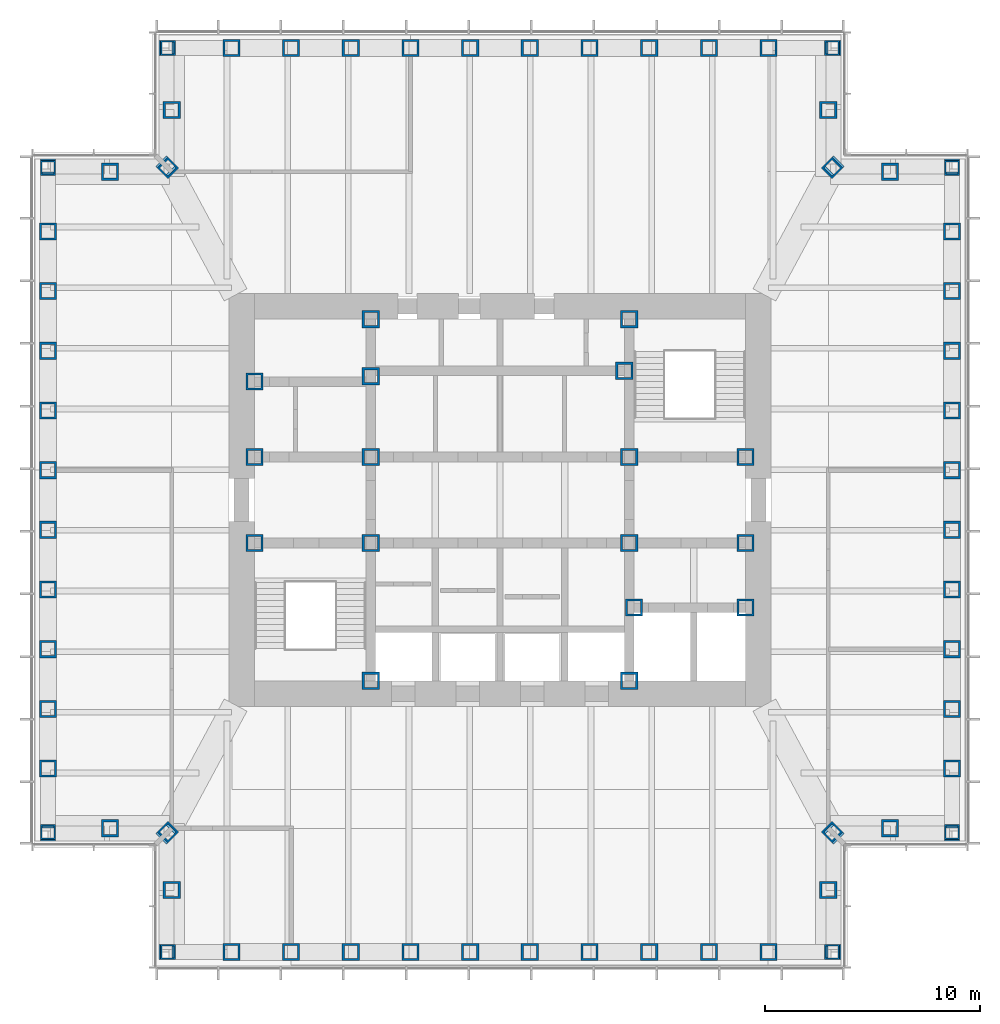
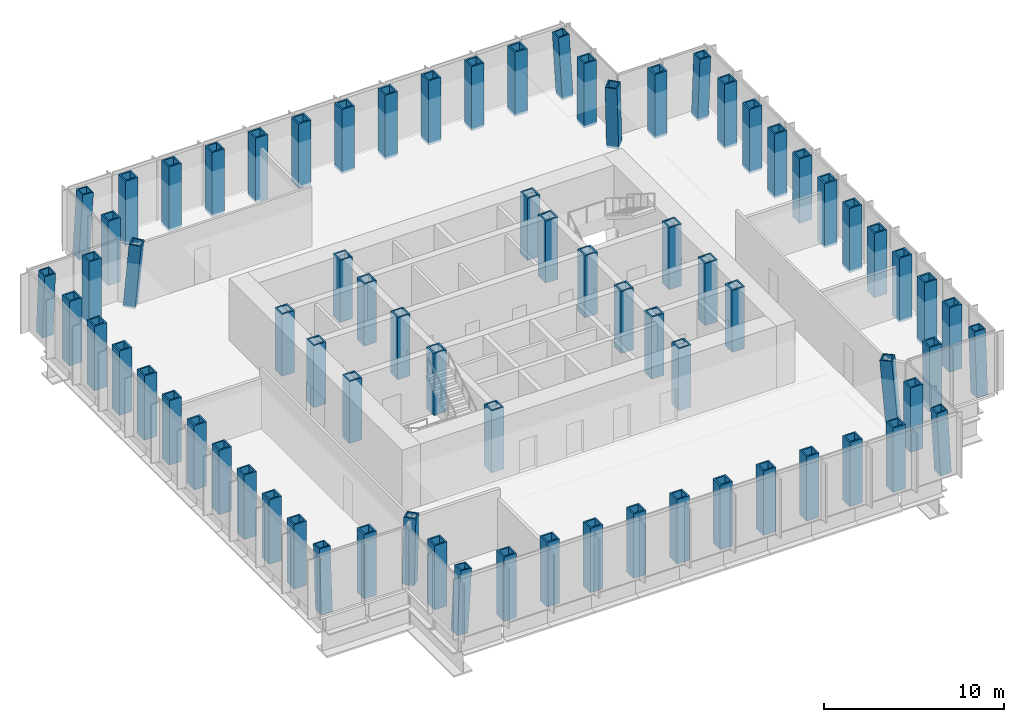
# One storey, part 1 of 14: 77 columns.
"""IFC4 building model written with IfcOpenShell, lengths in metres."""

import ifcopenshell
import ifcopenshell.guid

model = None  # the IFC model being written
_history = None  # IfcOwnerHistory: only IFC2X3 demands one
_inside = {}  # id of a spatial element -> (the spatial element, [elements in it])
_under = {}  # id of a project, library or spatial element -> (it, [spatial elements below it])
_declared = {}  # id of a project -> (the project, [libraries it declares])
_typed = {}  # id of a type object -> (the type object, [elements of that type])
_made_of = {}  # id of a material, layer set ... -> (it, [elements and type objects made of it])


def new_model(schema):
    """Start an empty IFC model of exactly this schema.

    Asked for "IFC4X3", IfcOpenShell would pick the latest addendum, in which some entities
    have other attributes; the version numbers below select the first issue.
    IFC2X3 requires an IfcOwnerHistory on every rooted entity: one is made here for all.
    """
    global model, _history
    if schema == "IFC4X3":
        model = ifcopenshell.file(schema_version=(4, 3, 0, 0))
    else:
        model = ifcopenshell.file(schema=schema)
    _inside.clear()
    _under.clear()
    _declared.clear()
    _typed.clear()
    _made_of.clear()
    _history = None
    if model.schema == "IFC2X3":
        org = make("IfcOrganization", Name="unknown")
        user = make(
            "IfcPersonAndOrganization",
            ThePerson=make("IfcPerson", FamilyName="unknown"),
            TheOrganization=org,
        )
        app = make(
            "IfcApplication",
            ApplicationDeveloper=org,
            Version="unknown",
            ApplicationFullName="unknown",
            ApplicationIdentifier="unknown",
        )
        _history = make(
            "IfcOwnerHistory",
            OwningUser=user,
            OwningApplication=app,
            ChangeAction="ADDED",
            CreationDate=0,
        )
    return model


def make(cls, **values):
    """One entity of the class cls with the attributes given. An attribute that is None is left unset."""
    return model.create_entity(
        cls, **{name: value for name, value in values.items() if value is not None}
    )


def rooted(cls, **values):
    """An entity with a GlobalId (a new one), such as an element, a storey or a relation."""
    return make(cls, GlobalId=ifcopenshell.guid.new(), OwnerHistory=_history, **values)


def si_unit(unit_type, name, prefix=None):
    """IfcSIUnit, for example si_unit("LENGTHUNIT", "METRE", prefix="MILLI")."""
    return make("IfcSIUnit", UnitType=unit_type, Prefix=prefix, Name=name)


def assignment(units):
    """IfcUnitAssignment: the units of a project."""
    return None if units is None else make("IfcUnitAssignment", Units=units)


def point(xyz):
    """IfcCartesianPoint."""
    return None if xyz is None else make("IfcCartesianPoint", Coordinates=xyz)


def direction(xyz):
    """IfcDirection."""
    return None if xyz is None else make("IfcDirection", DirectionRatios=xyz)


def frame(location, z_axis=None, x_axis=None):
    """IfcAxis2Placement3D, a coordinate frame: its origin and axes. An axis left out is left unset."""
    return make(
        "IfcAxis2Placement3D",
        Location=point(location),
        Axis=direction(z_axis),
        RefDirection=direction(x_axis),
    )


def frame_2d(location, x_axis=None):
    """IfcAxis2Placement2D, a coordinate frame in the plane: its origin and x axis."""
    return make(
        "IfcAxis2Placement2D", Location=point(location), RefDirection=direction(x_axis)
    )


def origin():
    """The frame at (0, 0, 0) with its axes left unset."""
    return frame((0.0, 0.0, 0.0))


def origin_2d():
    """The frame at (0, 0) in the plane with its x axis left unset."""
    return frame_2d((0.0, 0.0))


def place(relative_to, where):
    """IfcLocalPlacement: puts the frame where relative to a parent placement (None: the world)."""
    return make(
        "IfcLocalPlacement", PlacementRelTo=relative_to, RelativePlacement=where
    )


def context(
    kind, dimensions, precision=None, world=None, true_north=None, identifier=None
):
    """IfcGeometricRepresentationContext, for example the 3D "Model" context."""
    return make(
        "IfcGeometricRepresentationContext",
        ContextIdentifier=identifier,
        ContextType=kind,
        CoordinateSpaceDimension=dimensions,
        Precision=precision,
        WorldCoordinateSystem=world,
        TrueNorth=true_north,
    )


def subcontext(parent, identifier, kind, view, scale=None):
    """IfcGeometricRepresentationSubContext, for example "Body" below "Model"."""
    return make(
        "IfcGeometricRepresentationSubContext",
        ContextIdentifier=identifier,
        ContextType=kind,
        ParentContext=parent,
        TargetScale=scale,
        TargetView=view,
    )


def project(units=None, contexts=None):
    """IfcProject with its units and contexts."""
    return rooted(
        "IfcProject",
        Name="project",
        RepresentationContexts=contexts,
        UnitsInContext=assignment(units),
    )


def spatial(cls, under=None, at=None, **own):
    """A site, building, storey or space (cls), placed at a placement, below another one or the project."""
    s = rooted(cls, ObjectPlacement=at, **own)
    if under is not None:
        _under.setdefault(under.id(), (under, []))[1].append(s)
    return s


def profile(cls, at=None, kind="AREA", **sizes):
    """A parametric profile (cls). Its sizes go by their IFC names, for example OverallWidth=200.0."""
    return make(cls, ProfileType=kind, Position=at, **sizes)


def hollow_rectangle(**sizes):
    """IfcRectangleHollowProfileDef."""
    return profile("IfcRectangleHollowProfileDef", **sizes)


def extrude(swept, where, along, depth):
    """IfcExtrudedAreaSolid: the profile swept, set in the frame where, extruded along a direction by depth."""
    return make(
        "IfcExtrudedAreaSolid",
        SweptArea=swept,
        Position=where,
        ExtrudedDirection=direction(along),
        Depth=depth,
    )


def clip(a, b, op="DIFFERENCE"):
    """IfcBooleanClippingResult: the solid a cut by the half space b."""
    return make(
        "IfcBooleanClippingResult", Operator=op, FirstOperand=a, SecondOperand=b
    )


def halfspace(plane, agree):
    """IfcHalfSpaceSolid: all space on one side of the plane z = 0 of the frame plane."""
    return make(
        "IfcHalfSpaceSolid",
        BaseSurface=make("IfcPlane", Position=plane),
        AgreementFlag=agree,
    )


def shape(context_of_items, identifier, shape_type, items):
    """IfcShapeRepresentation: the items that make up one representation, for example the "Body"."""
    return make(
        "IfcShapeRepresentation",
        ContextOfItems=context_of_items,
        RepresentationIdentifier=identifier,
        RepresentationType=shape_type,
        Items=items,
    )


def material(Name=None, Category=None):
    """IfcMaterial."""
    return make("IfcMaterial", Name=Name, Category=Category)


def material_profile(
    of_material, cross_section, Name=None, Category=None, Priority=None
):
    """IfcMaterialProfile: a cross section and its material."""
    return make(
        "IfcMaterialProfile",
        Name=Name,
        Material=of_material,
        Profile=cross_section,
        Priority=Priority,
        Category=Category,
    )


def profile_set(profiles, Name=None, composite=None):
    """IfcMaterialProfileSet."""
    return make(
        "IfcMaterialProfileSet",
        Name=Name,
        MaterialProfiles=profiles,
        CompositeProfile=composite,
    )


def made_of(thing, what):
    """Note that an element or type object is made of a material, layer set ...; save() writes the relation."""
    if what is not None:
        _made_of.setdefault(what.id(), (what, []))[1].append(thing)
    return thing


def type_object(cls, material=None, **own):
    """A type object (cls), such as IfcWallType, which elements share."""
    return made_of(rooted(cls, **own), material)


def element(
    cls,
    number,
    at=None,
    inside=None,
    cuts=None,
    type_object=None,
    material=None,
    context=None,
    identifier="Body",
    shape_type=None,
    held_by="IfcProductDefinitionShape",
    body=None,
    shapes=None,
    **own,
):
    """One element of the class cls, such as IfcWall. Its Tag is "e" and its number.

    at: its placement. inside: the storey or other place that contains it. cuts: it is an
    opening in that element (IfcRelVoidsElement). A single representation is given by context,
    identifier, shape_type and body (its items); several are given by shapes. held_by: the class
    of the entity that holds the representations. save() writes the other relations.
    """
    e = rooted(cls, Tag="e%d" % number, ObjectPlacement=at, **own)
    if body is not None:
        shapes = [shape(context, identifier, shape_type, body)]
    if shapes is not None:
        e.Representation = make(held_by, Representations=shapes)
    if inside is not None:
        _inside.setdefault(inside.id(), (inside, []))[1].append(e)
    if cuts is not None:
        rooted(
            "IfcRelVoidsElement", RelatingBuildingElement=cuts, RelatedOpeningElement=e
        )
    if type_object is not None:
        _typed.setdefault(type_object.id(), (type_object, []))[1].append(e)
    return made_of(e, material)


def aggregate(whole, parts):
    """IfcRelAggregates: a whole, such as a stair, and the parts it consists of."""
    return rooted("IfcRelAggregates", RelatingObject=whole, RelatedObjects=parts)


def save(model, path):
    """Write the relations noted so far, then the file.

    IfcRelAggregates (storeys below a building ...), IfcRelContainedInSpatialStructure (elements
    in a storey), IfcRelDefinesByType, IfcRelAssociatesMaterial and IfcRelDeclares: one each for
    every whole, place, type object, material and project.
    """
    for whole, parts in _under.values():
        aggregate(whole, parts)
    for where, things in _inside.values():
        rooted(
            "IfcRelContainedInSpatialStructure",
            RelatedElements=things,
            RelatingStructure=where,
        )
    for kind, things in _typed.values():
        rooted("IfcRelDefinesByType", RelatedObjects=things, RelatingType=kind)
    for what, things in _made_of.values():
        rooted("IfcRelAssociatesMaterial", RelatedObjects=things, RelatingMaterial=what)
    for by, libraries in _declared.values():
        rooted("IfcRelDeclares", RelatingContext=by, RelatedDefinitions=libraries)
    model.write(path)


model = new_model("IFC4")

# Units and contexts
model_context = context("Model", 3, precision=1e-05, world=origin(), true_north=direction((0.0, 1.0)))
body_context = subcontext(model_context, "Body", "Model", "MODEL_VIEW")
ifc_project = project(units=[si_unit("LENGTHUNIT", "METRE"), si_unit("AREAUNIT", "SQUARE_METRE"), si_unit("VOLUMEUNIT", "CUBIC_METRE"), si_unit("PLANEANGLEUNIT", "RADIAN"), si_unit("MASSUNIT", "GRAM", prefix="KILO")], contexts=[model_context])

# Site, building, storey
site_placement = place(None, origin())
site = spatial("IfcSite", under=ifc_project, at=site_placement, CompositionType="ELEMENT")
building_placement = place(site_placement, origin())
building = spatial("IfcBuilding", under=site, at=building_placement, Name="Daluyong Arena Tower", CompositionType="ELEMENT")
storey_placement = place(building_placement, frame((0.0, 0.0, 250.300048828125)))
storey = spatial("IfcBuildingStorey", under=building, at=storey_placement, Name="L56", CompositionType="ELEMENT", Elevation=250.300048828125)

# Columns
ifc_material_1 = material(Name="Steel ASTM A572 Grade 50", Category="steel")
ifc_material_profile_1 = material_profile(ifc_material_1, hollow_rectangle(XDim=0.800048828125, YDim=0.800048828125, WallThickness=0.1, at=origin_2d()))
ifc_profile_set_1 = profile_set([ifc_material_profile_1], Name="Steel ASTM A572 Grade 50")
column_type_1 = type_object("IfcColumnType", Name="Core boundary column BX800X100", PredefinedType="COLUMN", material=ifc_profile_set_1)
for number, where, z_axis, x_axis, name in (
    (1, (44.60009765625, 78.0, 0.0), (0.0, 0.0, 1.0), (1.0, 0.0, 0.0), "core boundary column BC2"),
    (2, (44.60009765625, 82.0, 0.0), (0.0, 0.0, 1.0), (1.0, 0.0, 0.0), "core boundary column BC2"),
    (3, (44.60009765625, 85.5, 0.0), (0.0, 0.0, 1.0), (1.0, 0.0, 0.0), "core boundary column BC2"),
    (4, (50.0, 71.60009765625, 0.0), (0.0, 0.0, 1.0), (1.0, 0.0, 0.0), "core boundary column BC2"),
    (5, (50.0, 78.0, 0.0), (0.0, 0.0, 1.0), (1.0, 0.0, 0.0), "core boundary column BC2"),
    (6, (50.0, 82.0, 0.0), (0.0, 0.0, 1.0), (1.0, 0.0, 0.0), "core boundary column BC2"),
    (7, (50.0, 85.75, 0.0), (0.0, 0.0, 1.0), (1.0, 0.0, 0.0), "core boundary column BC2"),
    (8, (50.0, 88.39990234375, 0.0), (0.0, 0.0, 1.0), (1.0, 0.0, 0.0), "core boundary column BC2"),
    (9, (61.77490234375, 86.0, 0.0), (0.0, 0.0, 1.0), (1.0, 0.0, 0.0), "core boundary column BC2"),
    (10, (62.0, 71.60009765625, 0.0), (0.0, 0.0, 1.0), (1.0, 0.0, 0.0), "core boundary column BC2"),
    (11, (62.0, 78.0, 0.0), (0.0, 0.0, 1.0), (1.0, 0.0, 0.0), "core boundary column BC2"),
    (12, (62.0, 82.0, 0.0), (0.0, 0.0, 1.0), (1.0, 0.0, 0.0), "core boundary column BC2"),
    (13, (62.0, 88.39990234375, 0.0), (0.0, 0.0, 1.0), (1.0, 0.0, 0.0), "core boundary column BC2"),
    (14, (62.22509765625, 75.0, 0.0), (0.0, 0.0, 1.0), (1.0, 0.0, 0.0), "core boundary column BC2"),
    (15, (67.39990234375, 75.0, 0.0), (0.0, 0.0, 1.0), (1.0, 0.0, 0.0), "core boundary column BC2"),
    (16, (67.39990234375, 78.0, 0.0), (0.0, 0.0, 1.0), (1.0, 0.0, 0.0), "core boundary column BC2"),
    (17, (67.39990234375, 82.0, 0.0), (0.0, 0.0, 1.0), (1.0, 0.0, 0.0), "core boundary column BC2"),
):
    element("IfcColumn", number, at=place(storey_placement, frame(where, z_axis=z_axis, x_axis=x_axis)), inside=storey, type_object=column_type_1, Name=name, PredefinedType="COLUMN", context=body_context, shape_type="SweptSolid", body=[
        extrude(hollow_rectangle(XDim=0.800048828125, YDim=0.800048828125, WallThickness=0.1, at=origin_2d()), origin(), (0.0, 0.0, 1.0), 4.199951171875),
    ])
ifc_material_2 = material(Name="Steel ASTM A572 Grade 50", Category="steel")
ifc_material_profile_2 = material_profile(ifc_material_2, hollow_rectangle(XDim=0.699951171875, YDim=0.699951171875, WallThickness=0.08, at=origin_2d()))
ifc_profile_set_2 = profile_set([ifc_material_profile_2], Name="Steel ASTM A572 Grade 50")
column_type_2 = type_object("IfcColumnType", Name="Transition column BX700X80", PredefinedType="COLUMN", material=ifc_profile_set_2)
for number, where, z_axis, x_axis, name in (
    (18, (40.5, 59.0, -0.16015625), (0.057244014902, 0.0, 0.998360216935), (0.0, 1.0, 0.0), "transition column TT3"),
    (19, (71.5, 59.0, -0.16015625), (-0.057244014902, 0.0, 0.998360216935), (0.0, -1.0, 0.0), "transition column TT3"),
):
    element("IfcColumn", number, at=place(storey_placement, frame(where, z_axis=z_axis, x_axis=x_axis)), inside=storey, type_object=column_type_2, Name=name, PredefinedType="COLUMN", context=body_context, shape_type="Clipping", body=[
        clip(clip(extrude(hollow_rectangle(XDim=0.699951171875, YDim=0.699951171875, WallThickness=0.08, at=origin_2d()), origin(), (0.0, 0.0, 1.0), 4.3671875), halfspace(frame((0.0, 0.0, 0.022216796875), z_axis=(0.0, 0.0, 1.0), x_axis=(1.0, 0.0, 0.0)), True)), halfspace(frame((0.0, 0.0, 4.344970703125), z_axis=(0.0, 0.0, -1.0), x_axis=(1.0, 0.0, 0.0)), True)),
    ])
column_1_placement = place(storey_placement, frame((71.5, 64.5, -0.16015625), z_axis=(-0.057150453976, 0.057150453976, 0.99672847417), x_axis=(-0.707106781187, -0.707106781187, 0.0)))
element("IfcColumn", 20, at=column_1_placement, inside=storey, type_object=column_type_2, Name="transition column TT3", PredefinedType="COLUMN", context=body_context, shape_type="Clipping", body=[
    clip(clip(extrude(hollow_rectangle(XDim=0.699951171875, YDim=0.699951171875, WallThickness=0.08, at=origin_2d()), origin(), (0.0, 0.0, 1.0), 4.37451171875), halfspace(frame((0.0, 0.0, 0.030517578125), z_axis=(0.0, 0.0, 1.0), x_axis=(1.0, 0.0, 0.0)), True)), halfspace(frame((0.0, 0.0, 4.343994140625), z_axis=(0.0, 0.0, -1.0), x_axis=(1.0, 0.0, 0.0)), True)),
])
for number, where, z_axis, x_axis, name in (
    (21, (77.0, 64.5, -0.16015625), (0.0, 0.057244014902, 0.998360216935), (-1.0, 0.0, 0.0), "transition column TT3"),
    (22, (77.0, 95.5, -0.16015625), (0.0, -0.057244014902, 0.998360216935), (1.0, 0.0, 0.0), "transition column TT3"),
):
    element("IfcColumn", number, at=place(storey_placement, frame(where, z_axis=z_axis, x_axis=x_axis)), inside=storey, type_object=column_type_2, Name=name, PredefinedType="COLUMN", context=body_context, shape_type="Clipping", body=[
        clip(clip(extrude(hollow_rectangle(XDim=0.699951171875, YDim=0.699951171875, WallThickness=0.08, at=origin_2d()), origin(), (0.0, 0.0, 1.0), 4.3671875), halfspace(frame((0.0, 0.0, 0.022216796875), z_axis=(0.0, 0.0, 1.0), x_axis=(1.0, 0.0, 0.0)), True)), halfspace(frame((0.0, 0.0, 4.344970703125), z_axis=(0.0, 0.0, -1.0), x_axis=(1.0, 0.0, 0.0)), True)),
    ])
column_2_placement = place(storey_placement, frame((71.5, 95.5, -0.16015625), z_axis=(-0.057150453976, -0.057150453976, 0.99672847417), x_axis=(0.707106781187, -0.707106781187, 0.0)))
element("IfcColumn", 23, at=column_2_placement, inside=storey, type_object=column_type_2, Name="transition column TT3", PredefinedType="COLUMN", context=body_context, shape_type="Clipping", body=[
    clip(clip(extrude(hollow_rectangle(XDim=0.699951171875, YDim=0.699951171875, WallThickness=0.08, at=origin_2d()), origin(), (0.0, 0.0, 1.0), 4.37451171875), halfspace(frame((0.0, 0.0, 0.030517578125), z_axis=(0.0, 0.0, 1.0), x_axis=(1.0, 0.0, 0.0)), True)), halfspace(frame((0.0, 0.0, 4.343994140625), z_axis=(0.0, 0.0, -1.0), x_axis=(1.0, 0.0, 0.0)), True)),
])
for number, where, z_axis, x_axis, name in (
    (24, (71.5, 101.0, -0.16015625), (-0.057244014902, 0.0, 0.998360216935), (0.0, -1.0, 0.0), "transition column TT3"),
    (25, (40.5, 101.0, -0.16015625), (0.057244014902, 0.0, 0.998360216935), (0.0, 1.0, 0.0), "transition column TT3"),
):
    element("IfcColumn", number, at=place(storey_placement, frame(where, z_axis=z_axis, x_axis=x_axis)), inside=storey, type_object=column_type_2, Name=name, PredefinedType="COLUMN", context=body_context, shape_type="Clipping", body=[
        clip(clip(extrude(hollow_rectangle(XDim=0.699951171875, YDim=0.699951171875, WallThickness=0.08, at=origin_2d()), origin(), (0.0, 0.0, 1.0), 4.3671875), halfspace(frame((0.0, 0.0, 0.022216796875), z_axis=(0.0, 0.0, 1.0), x_axis=(1.0, 0.0, 0.0)), True)), halfspace(frame((0.0, 0.0, 4.344970703125), z_axis=(0.0, 0.0, -1.0), x_axis=(1.0, 0.0, 0.0)), True)),
    ])
column_3_placement = place(storey_placement, frame((40.5, 95.5, -0.16015625), z_axis=(0.057150453976, -0.057150453976, 0.99672847417), x_axis=(0.707106781187, 0.707106781187, 0.0)))
element("IfcColumn", 26, at=column_3_placement, inside=storey, type_object=column_type_2, Name="transition column TT3", PredefinedType="COLUMN", context=body_context, shape_type="Clipping", body=[
    clip(clip(extrude(hollow_rectangle(XDim=0.699951171875, YDim=0.699951171875, WallThickness=0.08, at=origin_2d()), origin(), (0.0, 0.0, 1.0), 4.37451171875), halfspace(frame((0.0, 0.0, 0.030517578125), z_axis=(0.0, 0.0, 1.0), x_axis=(1.0, 0.0, 0.0)), True)), halfspace(frame((0.0, 0.0, 4.343994140625), z_axis=(0.0, 0.0, -1.0), x_axis=(1.0, 0.0, 0.0)), True)),
])
for number, where, z_axis, x_axis, name in (
    (27, (35.0, 95.5, -0.16015625), (0.0, -0.057244014902, 0.998360216935), (1.0, 0.0, 0.0), "transition column TT3"),
    (28, (35.0, 64.5, -0.16015625), (0.0, 0.057244014902, 0.998360216935), (-1.0, 0.0, 0.0), "transition column TT3"),
):
    element("IfcColumn", number, at=place(storey_placement, frame(where, z_axis=z_axis, x_axis=x_axis)), inside=storey, type_object=column_type_2, Name=name, PredefinedType="COLUMN", context=body_context, shape_type="Clipping", body=[
        clip(clip(extrude(hollow_rectangle(XDim=0.699951171875, YDim=0.699951171875, WallThickness=0.08, at=origin_2d()), origin(), (0.0, 0.0, 1.0), 4.3671875), halfspace(frame((0.0, 0.0, 0.022216796875), z_axis=(0.0, 0.0, 1.0), x_axis=(1.0, 0.0, 0.0)), True)), halfspace(frame((0.0, 0.0, 4.344970703125), z_axis=(0.0, 0.0, -1.0), x_axis=(1.0, 0.0, 0.0)), True)),
    ])
column_4_placement = place(storey_placement, frame((40.5, 64.5, -0.16015625), z_axis=(0.057150453976, 0.057150453976, 0.99672847417), x_axis=(-0.707106781187, 0.707106781187, 0.0)))
element("IfcColumn", 29, at=column_4_placement, inside=storey, type_object=column_type_2, Name="transition column TT3", PredefinedType="COLUMN", context=body_context, shape_type="Clipping", body=[
    clip(clip(extrude(hollow_rectangle(XDim=0.699951171875, YDim=0.699951171875, WallThickness=0.08, at=origin_2d()), origin(), (0.0, 0.0, 1.0), 4.37451171875), halfspace(frame((0.0, 0.0, 0.030517578125), z_axis=(0.0, 0.0, 1.0), x_axis=(1.0, 0.0, 0.0)), True)), halfspace(frame((0.0, 0.0, 4.343994140625), z_axis=(0.0, 0.0, -1.0), x_axis=(1.0, 0.0, 0.0)), True)),
])
ifc_material_3 = material(Name="Steel ASTM A572 Grade 50", Category="steel")
ifc_material_profile_3 = material_profile(ifc_material_3, hollow_rectangle(XDim=0.800048828125, YDim=0.800048828125, WallThickness=0.1, at=origin_2d()))
ifc_profile_set_3 = profile_set([ifc_material_profile_3], Name="Steel ASTM A572 Grade 50")
column_type_3 = type_object("IfcColumnType", Name="Tube column BX800X100 BX800X100", PredefinedType="COLUMN", material=ifc_profile_set_3)
for number, where, z_axis, x_axis, name in (
    (30, (43.522705078125, 59.0, -0.16015625), (0.0, 0.0, 1.0), (1.0, 0.0, 0.0), "tube column bx800x100 TC8"),
    (31, (46.29541015625, 59.0, -0.16015625), (0.0, 0.0, 1.0), (1.0, 0.0, 0.0), "tube column bx800x100 TC8"),
    (32, (49.068115234375, 59.0, -0.16015625), (0.0, 0.0, 1.0), (1.0, 0.0, 0.0), "tube column bx800x100 TC8"),
    (33, (51.8408203125, 59.0, -0.16015625), (0.0, 0.0, 1.0), (1.0, 0.0, 0.0), "tube column bx800x100 TC8"),
    (34, (54.613525390625, 59.0, -0.16015625), (0.0, 0.0, 1.0), (1.0, 0.0, 0.0), "tube column bx800x100 TC8"),
    (35, (57.386474609375, 59.0, -0.16015625), (0.0, 0.0, 1.0), (1.0, 0.0, 0.0), "tube column bx800x100 TC8"),
    (36, (60.1591796875, 59.0, -0.16015625), (0.0, 0.0, 1.0), (1.0, 0.0, 0.0), "tube column bx800x100 TC8"),
    (37, (62.931884765625, 59.0, -0.16015625), (0.0, 0.0, 1.0), (1.0, 0.0, 0.0), "tube column bx800x100 TC8"),
    (38, (65.70458984375, 59.0, -0.16015625), (0.0, 0.0, 1.0), (1.0, 0.0, 0.0), "tube column bx800x100 TC8"),
    (39, (68.477294921875, 59.0, -0.16015625), (0.0, 0.0, 1.0), (1.0, 0.0, 0.0), "tube column bx800x100 TC8"),
    (40, (71.25, 61.875, -0.16015625), (0.0, 0.0, 1.0), (0.0, 1.0, 0.0), "tube column bx800x100 TC8"),
    (41, (74.125, 64.75, -0.16015625), (0.0, 0.0, 1.0), (1.0, 0.0, 0.0), "tube column bx800x100 TC8"),
    (42, (77.0, 67.522705078125, -0.16015625), (0.0, 0.0, 1.0), (0.0, 1.0, 0.0), "tube column bx800x100 TC8"),
    (43, (77.0, 70.29541015625, -0.16015625), (0.0, 0.0, 1.0), (0.0, 1.0, 0.0), "tube column bx800x100 TC8"),
    (44, (77.0, 73.068115234375, -0.16015625), (0.0, 0.0, 1.0), (0.0, 1.0, 0.0), "tube column bx800x100 TC8"),
    (45, (77.0, 75.8408203125, -0.16015625), (0.0, 0.0, 1.0), (0.0, 1.0, 0.0), "tube column bx800x100 TC8"),
    (46, (77.0, 78.613525390625, -0.16015625), (0.0, 0.0, 1.0), (0.0, 1.0, 0.0), "tube column bx800x100 TC8"),
    (47, (77.0, 81.386474609375, -0.16015625), (0.0, 0.0, 1.0), (0.0, 1.0, 0.0), "tube column bx800x100 TC8"),
    (48, (77.0, 84.1591796875, -0.16015625), (0.0, 0.0, 1.0), (0.0, 1.0, 0.0), "tube column bx800x100 TC8"),
    (49, (77.0, 86.931884765625, -0.16015625), (0.0, 0.0, 1.0), (0.0, 1.0, 0.0), "tube column bx800x100 TC8"),
    (50, (77.0, 89.70458984375, -0.16015625), (0.0, 0.0, 1.0), (0.0, 1.0, 0.0), "tube column bx800x100 TC8"),
    (51, (77.0, 92.477294921875, -0.16015625), (0.0, 0.0, 1.0), (0.0, 1.0, 0.0), "tube column bx800x100 TC8"),
    (52, (74.125, 95.25, -0.16015625), (0.0, 0.0, 1.0), (1.0, 0.0, 0.0), "tube column bx800x100 TC8"),
    (53, (71.25, 98.125, -0.16015625), (0.0, 0.0, 1.0), (0.0, 1.0, 0.0), "tube column bx800x100 TC8"),
    (54, (68.477294921875, 101.0, -0.16015625), (0.0, 0.0, 1.0), (1.0, 0.0, 0.0), "tube column bx800x100 TC8"),
    (55, (65.70458984375, 101.0, -0.16015625), (0.0, 0.0, 1.0), (1.0, 0.0, 0.0), "tube column bx800x100 TC8"),
    (56, (62.931884765625, 101.0, -0.16015625), (0.0, 0.0, 1.0), (1.0, 0.0, 0.0), "tube column bx800x100 TC8"),
    (57, (60.1591796875, 101.0, -0.16015625), (0.0, 0.0, 1.0), (1.0, 0.0, 0.0), "tube column bx800x100 TC8"),
    (58, (57.386474609375, 101.0, -0.16015625), (0.0, 0.0, 1.0), (1.0, 0.0, 0.0), "tube column bx800x100 TC8"),
    (59, (54.613525390625, 101.0, -0.16015625), (0.0, 0.0, 1.0), (1.0, 0.0, 0.0), "tube column bx800x100 TC8"),
    (60, (51.8408203125, 101.0, -0.16015625), (0.0, 0.0, 1.0), (1.0, 0.0, 0.0), "tube column bx800x100 TC8"),
    (61, (49.068115234375, 101.0, -0.16015625), (0.0, 0.0, 1.0), (1.0, 0.0, 0.0), "tube column bx800x100 TC8"),
    (62, (46.29541015625, 101.0, -0.16015625), (0.0, 0.0, 1.0), (1.0, 0.0, 0.0), "tube column bx800x100 TC8"),
    (63, (43.522705078125, 101.0, -0.16015625), (0.0, 0.0, 1.0), (1.0, 0.0, 0.0), "tube column bx800x100 TC8"),
    (64, (40.75, 98.125, -0.16015625), (0.0, 0.0, 1.0), (0.0, 1.0, 0.0), "tube column bx800x100 TC8"),
    (65, (37.875, 95.25, -0.16015625), (0.0, 0.0, 1.0), (1.0, 0.0, 0.0), "tube column bx800x100 TC8"),
    (66, (35.0, 92.477294921875, -0.16015625), (0.0, 0.0, 1.0), (0.0, 1.0, 0.0), "tube column bx800x100 TC8"),
    (67, (35.0, 89.70458984375, -0.16015625), (0.0, 0.0, 1.0), (0.0, 1.0, 0.0), "tube column bx800x100 TC8"),
    (68, (35.0, 86.931884765625, -0.16015625), (0.0, 0.0, 1.0), (0.0, 1.0, 0.0), "tube column bx800x100 TC8"),
    (69, (35.0, 84.1591796875, -0.16015625), (0.0, 0.0, 1.0), (0.0, 1.0, 0.0), "tube column bx800x100 TC8"),
    (70, (35.0, 81.386474609375, -0.16015625), (0.0, 0.0, 1.0), (0.0, 1.0, 0.0), "tube column bx800x100 TC8"),
    (71, (35.0, 78.613525390625, -0.16015625), (0.0, 0.0, 1.0), (0.0, 1.0, 0.0), "tube column bx800x100 TC8"),
    (72, (35.0, 75.8408203125, -0.16015625), (0.0, 0.0, 1.0), (0.0, 1.0, 0.0), "tube column bx800x100 TC8"),
    (73, (35.0, 73.068115234375, -0.16015625), (0.0, 0.0, 1.0), (0.0, 1.0, 0.0), "tube column bx800x100 TC8"),
    (74, (35.0, 70.29541015625, -0.16015625), (0.0, 0.0, 1.0), (0.0, 1.0, 0.0), "tube column bx800x100 TC8"),
    (75, (35.0, 67.522705078125, -0.16015625), (0.0, 0.0, 1.0), (0.0, 1.0, 0.0), "tube column bx800x100 TC8"),
    (76, (37.875, 64.75, -0.16015625), (0.0, 0.0, 1.0), (1.0, 0.0, 0.0), "tube column bx800x100 TC8"),
    (77, (40.75, 61.875, -0.16015625), (0.0, 0.0, 1.0), (0.0, 1.0, 0.0), "tube column bx800x100 TC8"),
):
    element("IfcColumn", number, at=place(storey_placement, frame(where, z_axis=z_axis, x_axis=x_axis)), inside=storey, type_object=column_type_3, Name=name, PredefinedType="COLUMN", context=body_context, shape_type="SweptSolid", body=[
        extrude(hollow_rectangle(XDim=0.800048828125, YDim=0.800048828125, WallThickness=0.1, at=origin_2d()), origin(), (0.0, 0.0, 1.0), 4.360107421875),
    ])

save(model, "model.ifc")
